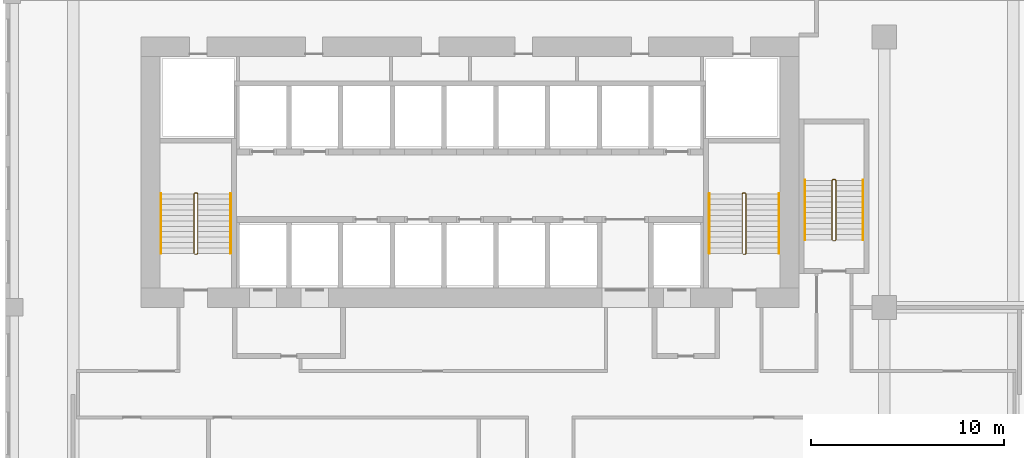
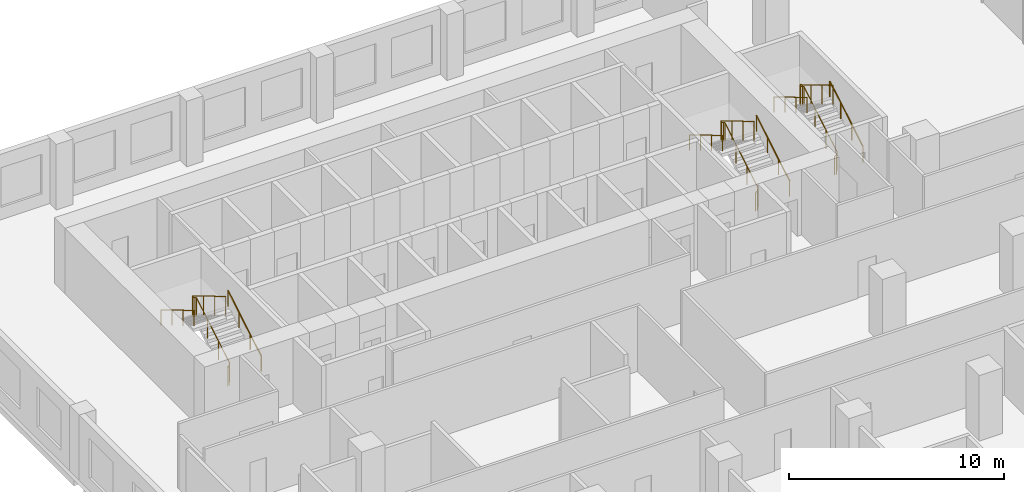
# One storey, part 24 of 25: 9 railings.
"""IFC4 building model written with IfcOpenShell, lengths in metres."""

from ifc_helpers import new_model, si_unit, direction, frame, origin, origin_2d, place, context, subcontext, project, spatial, circle, extrude, material, type_object, element, save


model = new_model("IFC4")

# Units and contexts
model_context = context("Model", 3, precision=1e-05, world=origin(), true_north=direction((0.0, 1.0)))
body_context = subcontext(model_context, "Body", "Model", "MODEL_VIEW")
ifc_project = project(units=[si_unit("LENGTHUNIT", "METRE"), si_unit("AREAUNIT", "SQUARE_METRE"), si_unit("VOLUMEUNIT", "CUBIC_METRE"), si_unit("PLANEANGLEUNIT", "RADIAN"), si_unit("MASSUNIT", "GRAM", prefix="KILO")], contexts=[model_context])

# Site, building, storey
site_placement = place(None, origin())
site = spatial("IfcSite", under=ifc_project, at=site_placement, CompositionType="ELEMENT")
building_placement = place(site_placement, origin())
building = spatial("IfcBuilding", under=site, at=building_placement, Name="Kilnfold Tower and Market Hall", CompositionType="ELEMENT")
storey_placement = place(building_placement, frame((0.0, 0.0, 67.199951171875)))
storey = spatial("IfcBuildingStorey", under=building, at=storey_placement, Name="L15", CompositionType="ELEMENT", Elevation=67.199951171875)

# Railings
ifc_material_1 = material(Name="Stainless steel 316", Category="steel")
railing_type_1 = type_object("IfcRailingType", Name="CORE STAIR GUARD 1100", PredefinedType="GUARDRAIL", material=ifc_material_1)
railing_1_placement = place(storey_placement, frame((-13.199951171875, 10.75, 0.0)))
element("IfcRailing", 1, at=railing_1_placement, inside=storey, type_object=railing_type_1, Name="L15 ST1 stair guard 1", PredefinedType="GUARDRAIL", context=body_context, shape_type="SweptSolid", body=[
    extrude(circle(Radius=0.02392578125, at=origin_2d()), frame((0.0, 0.0, 1.076171875), z_axis=(1.0, 0.0, 0.0), x_axis=(0.0, 1.0, 0.0)), (0.0, 0.0, 1.0), 0.099853515625),
    extrude(circle(Radius=0.02392578125, at=origin_2d()), frame((0.099853515625, 0.0, 1.076171875), z_axis=(0.27628659633, 0.27628659633, 0.920506074601), x_axis=(-0.707106781187, 0.707106781187, 0.0)), (0.0, 0.0, 1.0), 0.18115234375),
    extrude(circle(Radius=0.02392578125, at=origin_2d()), frame((0.14990234375, 0.050048828125, 1.24267578125), z_axis=(0.0, 0.859290745958, 0.51148745235), x_axis=(-1.0, 0.0, 0.0)), (0.0, 0.0, 1.0), 3.584228515625),
    extrude(circle(Radius=0.02392578125, at=origin_2d()), frame((0.14990234375, 3.1298828125, 3.076171875), z_axis=(-0.707106781187, 0.707106781187, 0.0), x_axis=(-0.707106781187, -0.707106781187, 0.0)), (0.0, 0.0, 1.0), 0.07080078125),
    extrude(circle(Radius=0.02392578125, at=origin_2d()), frame((0.099853515625, 3.179931640625, 3.076171875), z_axis=(-1.0, 0.0, 0.0), x_axis=(0.0, -1.0, 0.0)), (0.0, 0.0, 1.0), 0.099853515625),
    extrude(circle(Radius=0.02392578125, at=origin_2d()), frame((0.0, 3.179931640625, 3.076171875), z_axis=(-0.27628659633, -0.27628659633, 0.920506074601), x_axis=(0.707106781187, -0.707106781187, 0.0)), (0.0, 0.0, 1.0), 0.18115234375),
    extrude(circle(Radius=0.02392578125, at=origin_2d()), frame((-0.050048828125, 3.1298828125, 3.24267578125), z_axis=(0.0, -0.859290745958, 0.51148745235), x_axis=(1.0, 0.0, 0.0)), (0.0, 0.0, 1.0), 3.584228515625),
    extrude(circle(Radius=0.02099609375, at=origin_2d()), origin(), (0.0, 0.0, 1.0), 1.052001953125),
    extrude(circle(Radius=0.02099609375, at=origin_2d()), frame((0.099853515625, 0.0, 0.0)), (0.0, 0.0, 1.0), 1.052001953125),
    extrude(circle(Radius=0.02099609375, at=origin_2d()), frame((0.14990234375, 0.050048828125, 0.166748046875)), (0.0, 0.0, 1.0), 1.052001953125),
    extrude(circle(Radius=0.02099609375, at=origin_2d()), frame((0.14990234375, 1.07666015625, 0.77783203125)), (0.0, 0.0, 1.0), 1.052001953125),
    extrude(circle(Radius=0.02099609375, at=origin_2d()), frame((0.14990234375, 2.103271484375, 1.388916015625)), (0.0, 0.0, 1.0), 1.052001953125),
    extrude(circle(Radius=0.02099609375, at=origin_2d()), frame((0.14990234375, 3.1298828125, 2.0)), (0.0, 0.0, 1.0), 1.052001953125),
    extrude(circle(Radius=0.02099609375, at=origin_2d()), frame((0.099853515625, 3.179931640625, 2.0)), (0.0, 0.0, 1.0), 1.052001953125),
    extrude(circle(Radius=0.02099609375, at=origin_2d()), frame((0.0, 3.179931640625, 2.0)), (0.0, 0.0, 1.0), 1.052001953125),
    extrude(circle(Radius=0.02099609375, at=origin_2d()), frame((-0.050048828125, 3.1298828125, 2.166748046875)), (0.0, 0.0, 1.0), 1.052001953125),
    extrude(circle(Radius=0.02099609375, at=origin_2d()), frame((-0.050048828125, 2.103271484375, 2.77783203125)), (0.0, 0.0, 1.0), 1.052001953125),
    extrude(circle(Radius=0.02099609375, at=origin_2d()), frame((-0.050048828125, 1.07666015625, 3.388916015625)), (0.0, 0.0, 1.0), 1.052001953125),
    extrude(circle(Radius=0.02099609375, at=origin_2d()), frame((-0.050048828125, 0.050048828125, 4.0)), (0.0, 0.0, 1.0), 1.052001953125),
])
railing_2_placement = place(storey_placement, frame((15.199951171875, 10.75, 0.0)))
element("IfcRailing", 2, at=railing_2_placement, inside=storey, type_object=railing_type_1, Name="L15 ST2 stair guard 1", PredefinedType="GUARDRAIL", context=body_context, shape_type="SweptSolid", body=[
    extrude(circle(Radius=0.02392578125, at=origin_2d()), frame((0.0, 0.0, 1.076171875), z_axis=(1.0, 0.0, 0.0), x_axis=(0.0, 1.0, 0.0)), (0.0, 0.0, 1.0), 0.10009765625),
    extrude(circle(Radius=0.02392578125, at=origin_2d()), frame((0.10009765625, 0.0, 1.076171875), z_axis=(0.27628659633, 0.27628659633, 0.920506074601), x_axis=(-0.707106781187, 0.707106781187, 0.0)), (0.0, 0.0, 1.0), 0.18115234375),
    extrude(circle(Radius=0.02392578125, at=origin_2d()), frame((0.150146484375, 0.050048828125, 1.24267578125), z_axis=(0.0, 0.859290745958, 0.51148745235), x_axis=(-1.0, 0.0, 0.0)), (0.0, 0.0, 1.0), 3.584228515625),
    extrude(circle(Radius=0.02392578125, at=origin_2d()), frame((0.150146484375, 3.1298828125, 3.076171875), z_axis=(-0.707106781187, 0.707106781187, 0.0), x_axis=(-0.707106781187, -0.707106781187, 0.0)), (0.0, 0.0, 1.0), 0.07080078125),
    extrude(circle(Radius=0.02392578125, at=origin_2d()), frame((0.10009765625, 3.179931640625, 3.076171875), z_axis=(-1.0, 0.0, 0.0), x_axis=(0.0, -1.0, 0.0)), (0.0, 0.0, 1.0), 0.10009765625),
    extrude(circle(Radius=0.02392578125, at=origin_2d()), frame((0.0, 3.179931640625, 3.076171875), z_axis=(-0.27628659633, -0.27628659633, 0.920506074601), x_axis=(0.707106781187, -0.707106781187, 0.0)), (0.0, 0.0, 1.0), 0.18115234375),
    extrude(circle(Radius=0.02392578125, at=origin_2d()), frame((-0.050048828125, 3.1298828125, 3.24267578125), z_axis=(0.0, -0.859290745958, 0.51148745235), x_axis=(1.0, 0.0, 0.0)), (0.0, 0.0, 1.0), 3.584228515625),
    extrude(circle(Radius=0.02099609375, at=origin_2d()), origin(), (0.0, 0.0, 1.0), 1.052001953125),
    extrude(circle(Radius=0.02099609375, at=origin_2d()), frame((0.10009765625, 0.0, 0.0)), (0.0, 0.0, 1.0), 1.052001953125),
    extrude(circle(Radius=0.02099609375, at=origin_2d()), frame((0.150146484375, 0.050048828125, 0.166748046875)), (0.0, 0.0, 1.0), 1.052001953125),
    extrude(circle(Radius=0.02099609375, at=origin_2d()), frame((0.150146484375, 1.07666015625, 0.77783203125)), (0.0, 0.0, 1.0), 1.052001953125),
    extrude(circle(Radius=0.02099609375, at=origin_2d()), frame((0.150146484375, 2.103271484375, 1.388916015625)), (0.0, 0.0, 1.0), 1.052001953125),
    extrude(circle(Radius=0.02099609375, at=origin_2d()), frame((0.150146484375, 3.1298828125, 2.0)), (0.0, 0.0, 1.0), 1.052001953125),
    extrude(circle(Radius=0.02099609375, at=origin_2d()), frame((0.10009765625, 3.179931640625, 2.0)), (0.0, 0.0, 1.0), 1.052001953125),
    extrude(circle(Radius=0.02099609375, at=origin_2d()), frame((0.0, 3.179931640625, 2.0)), (0.0, 0.0, 1.0), 1.052001953125),
    extrude(circle(Radius=0.02099609375, at=origin_2d()), frame((-0.050048828125, 3.1298828125, 2.166748046875)), (0.0, 0.0, 1.0), 1.052001953125),
    extrude(circle(Radius=0.02099609375, at=origin_2d()), frame((-0.050048828125, 2.103271484375, 2.77783203125)), (0.0, 0.0, 1.0), 1.052001953125),
    extrude(circle(Radius=0.02099609375, at=origin_2d()), frame((-0.050048828125, 1.07666015625, 3.388916015625)), (0.0, 0.0, 1.0), 1.052001953125),
    extrude(circle(Radius=0.02099609375, at=origin_2d()), frame((-0.050048828125, 0.050048828125, 4.0)), (0.0, 0.0, 1.0), 1.052001953125),
])
railing_3_placement = place(storey_placement, frame((19.85009765625, 11.449951171875, 0.0)))
element("IfcRailing", 3, at=railing_3_placement, inside=storey, type_object=railing_type_1, Name="L15 ST5 stair guard 1", PredefinedType="GUARDRAIL", context=body_context, shape_type="SweptSolid", body=[
    extrude(circle(Radius=0.02392578125, at=origin_2d()), frame((0.0, 0.0, 1.076171875), z_axis=(1.0, 0.0, 0.0), x_axis=(0.0, 1.0, 0.0)), (0.0, 0.0, 1.0), 0.099853515625),
    extrude(circle(Radius=0.02392578125, at=origin_2d()), frame((0.099853515625, 0.0, 1.076171875), z_axis=(0.27628659633, 0.27628659633, 0.920506074601), x_axis=(-0.707106781187, 0.707106781187, 0.0)), (0.0, 0.0, 1.0), 0.18115234375),
    extrude(circle(Radius=0.02392578125, at=origin_2d()), frame((0.14990234375, 0.050048828125, 1.24267578125), z_axis=(0.0, 0.859308565015, 0.511457515432), x_axis=(-1.0, 0.0, 0.0)), (0.0, 0.0, 1.0), 3.58447265625),
    extrude(circle(Radius=0.02392578125, at=origin_2d()), frame((0.14990234375, 3.130126953125, 3.076171875), z_axis=(-0.708833529934, 0.705375805398, 0.0), x_axis=(-0.705375805398, -0.708833529934, 0.0)), (0.0, 0.0, 1.0), 0.070556640625),
    extrude(circle(Radius=0.02392578125, at=origin_2d()), frame((0.099853515625, 3.179931640625, 3.076171875), z_axis=(-1.0, 0.0, 0.0), x_axis=(0.0, -1.0, 0.0)), (0.0, 0.0, 1.0), 0.099853515625),
    extrude(circle(Radius=0.02392578125, at=origin_2d()), frame((0.0, 3.179931640625, 3.076171875), z_axis=(-0.276389281352, -0.275041040955, 0.920848191041), x_axis=(0.705375805398, -0.708833529934, 0.0)), (0.0, 0.0, 1.0), 0.18115234375),
    extrude(circle(Radius=0.02392578125, at=origin_2d()), frame((-0.050048828125, 3.130126953125, 3.24267578125), z_axis=(0.0, -0.859308565015, 0.511457515432), x_axis=(1.0, 0.0, 0.0)), (0.0, 0.0, 1.0), 3.58447265625),
    extrude(circle(Radius=0.02099609375, at=origin_2d()), origin(), (0.0, 0.0, 1.0), 1.052001953125),
    extrude(circle(Radius=0.02099609375, at=origin_2d()), frame((0.099853515625, 0.0, 0.0)), (0.0, 0.0, 1.0), 1.052001953125),
    extrude(circle(Radius=0.02099609375, at=origin_2d()), frame((0.14990234375, 0.050048828125, 0.166748046875)), (0.0, 0.0, 1.0), 1.052001953125),
    extrude(circle(Radius=0.02099609375, at=origin_2d()), frame((0.14990234375, 1.07666015625, 0.77783203125)), (0.0, 0.0, 1.0), 1.052001953125),
    extrude(circle(Radius=0.02099609375, at=origin_2d()), frame((0.14990234375, 2.103515625, 1.388916015625)), (0.0, 0.0, 1.0), 1.052001953125),
    extrude(circle(Radius=0.02099609375, at=origin_2d()), frame((0.14990234375, 3.130126953125, 2.0)), (0.0, 0.0, 1.0), 1.052001953125),
    extrude(circle(Radius=0.02099609375, at=origin_2d()), frame((0.099853515625, 3.179931640625, 2.0)), (0.0, 0.0, 1.0), 1.052001953125),
    extrude(circle(Radius=0.02099609375, at=origin_2d()), frame((0.0, 3.179931640625, 2.0)), (0.0, 0.0, 1.0), 1.052001953125),
    extrude(circle(Radius=0.02099609375, at=origin_2d()), frame((-0.050048828125, 3.130126953125, 2.166748046875)), (0.0, 0.0, 1.0), 1.052001953125),
    extrude(circle(Radius=0.02099609375, at=origin_2d()), frame((-0.050048828125, 2.103515625, 2.77783203125)), (0.0, 0.0, 1.0), 1.052001953125),
    extrude(circle(Radius=0.02099609375, at=origin_2d()), frame((-0.050048828125, 1.07666015625, 3.388916015625)), (0.0, 0.0, 1.0), 1.052001953125),
    extrude(circle(Radius=0.02099609375, at=origin_2d()), frame((-0.050048828125, 0.050048828125, 4.0)), (0.0, 0.0, 1.0), 1.052001953125),
])
ifc_material_2 = material(Name="Stainless steel 316", Category="steel")
railing_type_2 = type_object("IfcRailingType", Name="CORE STAIR HANDRAIL 900", PredefinedType="HANDRAIL", material=ifc_material_2)
railing_4_placement = place(storey_placement, frame((-11.35009765625, 10.800048828125, 0.166748046875)))
element("IfcRailing", 4, at=railing_4_placement, inside=storey, type_object=railing_type_2, Name="L15 ST1 stair handrail 1", PredefinedType="HANDRAIL", context=body_context, shape_type="SweptSolid", body=[
    extrude(circle(Radius=0.02392578125, at=origin_2d()), frame((0.0, 0.0, 0.8759765625), z_axis=(0.0, 0.859290745958, 0.51148745235), x_axis=(-1.0, 0.0, 0.0)), (0.0, 0.0, 1.0), 3.584228515625),
    extrude(circle(Radius=0.02099609375, at=origin_2d()), origin(), (0.0, 0.0, 1.0), 0.851806640625),
    extrude(circle(Radius=0.02099609375, at=origin_2d()), frame((0.0, 1.026611328125, 0.611083984375)), (0.0, 0.0, 1.0), 0.851806640625),
    extrude(circle(Radius=0.02099609375, at=origin_2d()), frame((0.0, 2.05322265625, 1.22216796875)), (0.0, 0.0, 1.0), 0.851806640625),
    extrude(circle(Radius=0.02099609375, at=origin_2d()), frame((0.0, 3.079833984375, 1.833251953125)), (0.0, 0.0, 1.0), 0.851806640625),
])
railing_5_placement = place(storey_placement, frame((-14.949951171875, 13.8798828125, 2.166748046875)))
element("IfcRailing", 5, at=railing_5_placement, inside=storey, type_object=railing_type_2, Name="L15 ST1 stair handrail 2", PredefinedType="HANDRAIL", context=body_context, shape_type="SweptSolid", body=[
    extrude(circle(Radius=0.02392578125, at=origin_2d()), frame((0.0, 0.0, 0.8759765625), z_axis=(0.0, -0.859290745958, 0.51148745235), x_axis=(1.0, 0.0, 0.0)), (0.0, 0.0, 1.0), 3.584228515625),
    extrude(circle(Radius=0.02099609375, at=origin_2d()), origin(), (0.0, 0.0, 1.0), 0.851806640625),
    extrude(circle(Radius=0.02099609375, at=origin_2d()), frame((0.0, -1.026611328125, 0.611083984375)), (0.0, 0.0, 1.0), 0.851806640625),
    extrude(circle(Radius=0.02099609375, at=origin_2d()), frame((0.0, -2.05322265625, 1.22216796875)), (0.0, 0.0, 1.0), 0.851806640625),
    extrude(circle(Radius=0.02099609375, at=origin_2d()), frame((0.0, -3.079833984375, 1.833251953125)), (0.0, 0.0, 1.0), 0.851806640625),
])
railing_6_placement = place(storey_placement, frame((17.050048828125, 10.800048828125, 0.166748046875)))
element("IfcRailing", 6, at=railing_6_placement, inside=storey, type_object=railing_type_2, Name="L15 ST2 stair handrail 1", PredefinedType="HANDRAIL", context=body_context, shape_type="SweptSolid", body=[
    extrude(circle(Radius=0.02392578125, at=origin_2d()), frame((0.0, 0.0, 0.8759765625), z_axis=(0.0, 0.859290745958, 0.51148745235), x_axis=(-1.0, 0.0, 0.0)), (0.0, 0.0, 1.0), 3.584228515625),
    extrude(circle(Radius=0.02099609375, at=origin_2d()), origin(), (0.0, 0.0, 1.0), 0.851806640625),
    extrude(circle(Radius=0.02099609375, at=origin_2d()), frame((0.0, 1.026611328125, 0.611083984375)), (0.0, 0.0, 1.0), 0.851806640625),
    extrude(circle(Radius=0.02099609375, at=origin_2d()), frame((0.0, 2.05322265625, 1.22216796875)), (0.0, 0.0, 1.0), 0.851806640625),
    extrude(circle(Radius=0.02099609375, at=origin_2d()), frame((0.0, 3.079833984375, 1.833251953125)), (0.0, 0.0, 1.0), 0.851806640625),
])
railing_7_placement = place(storey_placement, frame((13.449951171875, 13.8798828125, 2.166748046875)))
element("IfcRailing", 7, at=railing_7_placement, inside=storey, type_object=railing_type_2, Name="L15 ST2 stair handrail 2", PredefinedType="HANDRAIL", context=body_context, shape_type="SweptSolid", body=[
    extrude(circle(Radius=0.02392578125, at=origin_2d()), frame((0.0, 0.0, 0.8759765625), z_axis=(0.0, -0.859290745958, 0.51148745235), x_axis=(1.0, 0.0, 0.0)), (0.0, 0.0, 1.0), 3.584228515625),
    extrude(circle(Radius=0.02099609375, at=origin_2d()), origin(), (0.0, 0.0, 1.0), 0.851806640625),
    extrude(circle(Radius=0.02099609375, at=origin_2d()), frame((0.0, -1.026611328125, 0.611083984375)), (0.0, 0.0, 1.0), 0.851806640625),
    extrude(circle(Radius=0.02099609375, at=origin_2d()), frame((0.0, -2.05322265625, 1.22216796875)), (0.0, 0.0, 1.0), 0.851806640625),
    extrude(circle(Radius=0.02099609375, at=origin_2d()), frame((0.0, -3.079833984375, 1.833251953125)), (0.0, 0.0, 1.0), 0.851806640625),
])
railing_8_placement = place(storey_placement, frame((21.39990234375, 11.5, 0.166748046875)))
element("IfcRailing", 8, at=railing_8_placement, inside=storey, type_object=railing_type_2, Name="L15 ST5 stair handrail 1", PredefinedType="HANDRAIL", context=body_context, shape_type="SweptSolid", body=[
    extrude(circle(Radius=0.02392578125, at=origin_2d()), frame((0.0, 0.0, 0.8759765625), z_axis=(0.0, 0.859308565015, 0.511457515432), x_axis=(-1.0, 0.0, 0.0)), (0.0, 0.0, 1.0), 3.58447265625),
    extrude(circle(Radius=0.02099609375, at=origin_2d()), origin(), (0.0, 0.0, 1.0), 0.851806640625),
    extrude(circle(Radius=0.02099609375, at=origin_2d()), frame((0.0, 1.026611328125, 0.611083984375)), (0.0, 0.0, 1.0), 0.851806640625),
    extrude(circle(Radius=0.02099609375, at=origin_2d()), frame((0.0, 2.053466796875, 1.22216796875)), (0.0, 0.0, 1.0), 0.851806640625),
    extrude(circle(Radius=0.02099609375, at=origin_2d()), frame((0.0, 3.080078125, 1.833251953125)), (0.0, 0.0, 1.0), 0.851806640625),
])
railing_9_placement = place(storey_placement, frame((18.39990234375, 14.580078125, 2.166748046875)))
element("IfcRailing", 9, at=railing_9_placement, inside=storey, type_object=railing_type_2, Name="L15 ST5 stair handrail 2", PredefinedType="HANDRAIL", context=body_context, shape_type="SweptSolid", body=[
    extrude(circle(Radius=0.02392578125, at=origin_2d()), frame((0.0, 0.0, 0.8759765625), z_axis=(0.0, -0.859308565015, 0.511457515432), x_axis=(1.0, 0.0, 0.0)), (0.0, 0.0, 1.0), 3.58447265625),
    extrude(circle(Radius=0.02099609375, at=origin_2d()), origin(), (0.0, 0.0, 1.0), 0.851806640625),
    extrude(circle(Radius=0.02099609375, at=origin_2d()), frame((0.0, -1.026611328125, 0.611083984375)), (0.0, 0.0, 1.0), 0.851806640625),
    extrude(circle(Radius=0.02099609375, at=origin_2d()), frame((0.0, -2.053466796875, 1.22216796875)), (0.0, 0.0, 1.0), 0.851806640625),
    extrude(circle(Radius=0.02099609375, at=origin_2d()), frame((0.0, -3.080078125, 1.833251953125)), (0.0, 0.0, 1.0), 0.851806640625),
])

save(model, "model.ifc")
